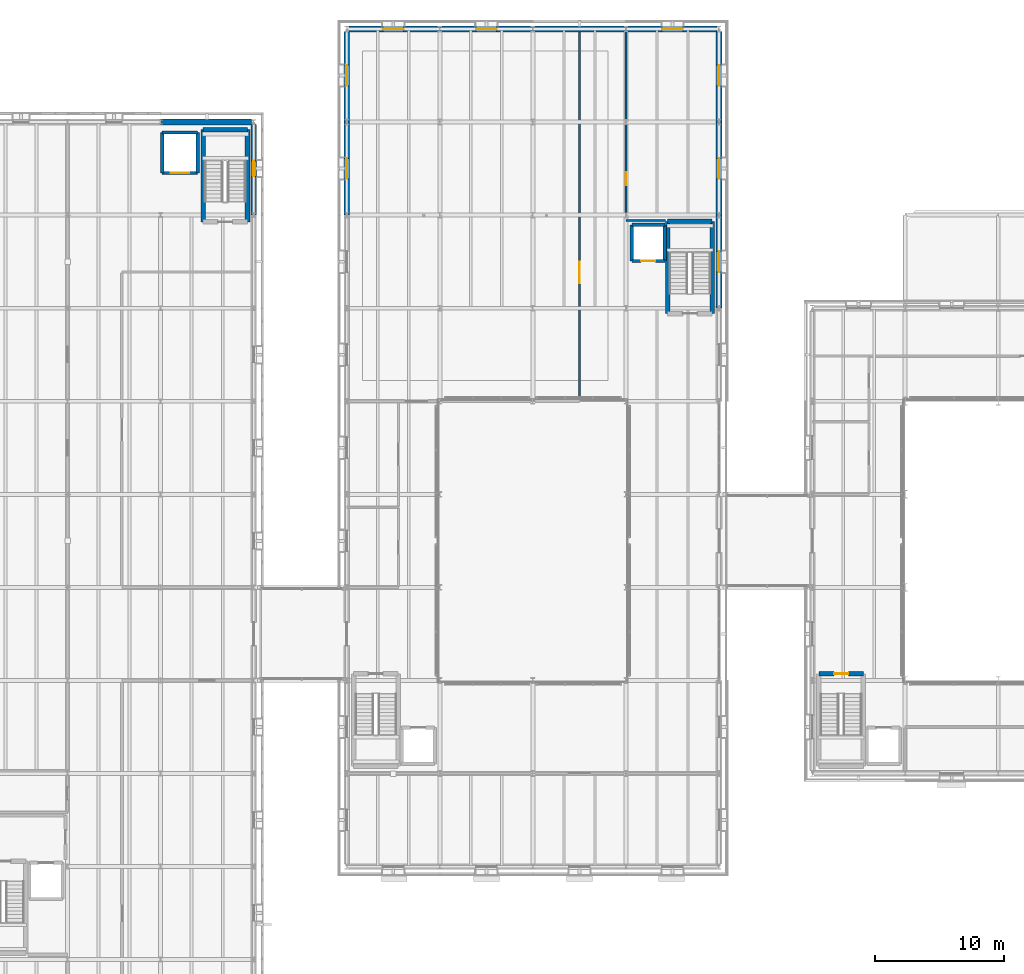
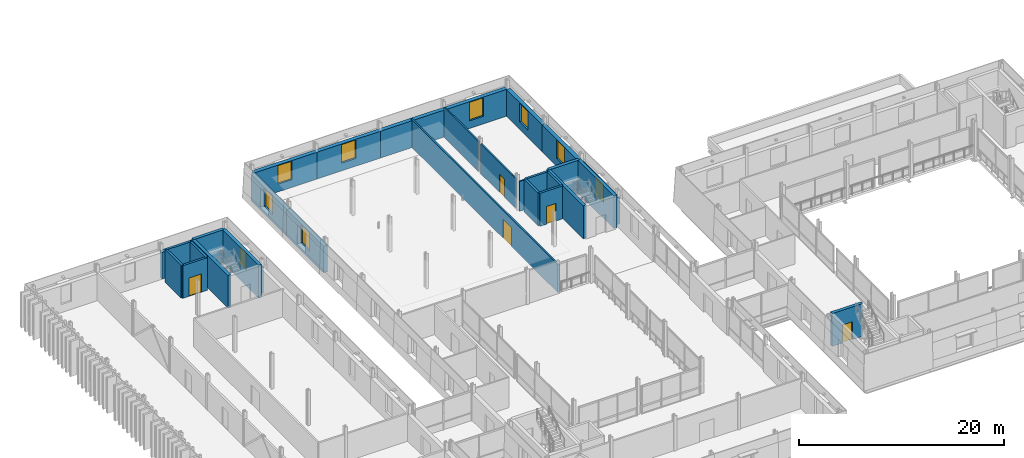
# One storey, part 72 of 115: 30 walls, 9 windows, 5 doors, 14 openings.
"""IFC4 building model written with IfcOpenShell, lengths in metres."""

import ifcopenshell
import ifcopenshell.guid

model = None  # the IFC model being written
_history = None  # IfcOwnerHistory: only IFC2X3 demands one
_inside = {}  # id of a spatial element -> (the spatial element, [elements in it])
_under = {}  # id of a project, library or spatial element -> (it, [spatial elements below it])
_declared = {}  # id of a project -> (the project, [libraries it declares])
_typed = {}  # id of a type object -> (the type object, [elements of that type])
_made_of = {}  # id of a material, layer set ... -> (it, [elements and type objects made of it])


def new_model(schema):
    """Start an empty IFC model of exactly this schema.

    Asked for "IFC4X3", IfcOpenShell would pick the latest addendum, in which some entities
    have other attributes; the version numbers below select the first issue.
    IFC2X3 requires an IfcOwnerHistory on every rooted entity: one is made here for all.
    """
    global model, _history
    if schema == "IFC4X3":
        model = ifcopenshell.file(schema_version=(4, 3, 0, 0))
    else:
        model = ifcopenshell.file(schema=schema)
    _inside.clear()
    _under.clear()
    _declared.clear()
    _typed.clear()
    _made_of.clear()
    _history = None
    if model.schema == "IFC2X3":
        org = make("IfcOrganization", Name="unknown")
        user = make(
            "IfcPersonAndOrganization",
            ThePerson=make("IfcPerson", FamilyName="unknown"),
            TheOrganization=org,
        )
        app = make(
            "IfcApplication",
            ApplicationDeveloper=org,
            Version="unknown",
            ApplicationFullName="unknown",
            ApplicationIdentifier="unknown",
        )
        _history = make(
            "IfcOwnerHistory",
            OwningUser=user,
            OwningApplication=app,
            ChangeAction="ADDED",
            CreationDate=0,
        )
    return model


def make(cls, **values):
    """One entity of the class cls with the attributes given. An attribute that is None is left unset."""
    return model.create_entity(
        cls, **{name: value for name, value in values.items() if value is not None}
    )


def rooted(cls, **values):
    """An entity with a GlobalId (a new one), such as an element, a storey or a relation."""
    return make(cls, GlobalId=ifcopenshell.guid.new(), OwnerHistory=_history, **values)


def si_unit(unit_type, name, prefix=None):
    """IfcSIUnit, for example si_unit("LENGTHUNIT", "METRE", prefix="MILLI")."""
    return make("IfcSIUnit", UnitType=unit_type, Prefix=prefix, Name=name)


def assignment(units):
    """IfcUnitAssignment: the units of a project."""
    return None if units is None else make("IfcUnitAssignment", Units=units)


def point(xyz):
    """IfcCartesianPoint."""
    return None if xyz is None else make("IfcCartesianPoint", Coordinates=xyz)


def direction(xyz):
    """IfcDirection."""
    return None if xyz is None else make("IfcDirection", DirectionRatios=xyz)


def frame(location, z_axis=None, x_axis=None):
    """IfcAxis2Placement3D, a coordinate frame: its origin and axes. An axis left out is left unset."""
    return make(
        "IfcAxis2Placement3D",
        Location=point(location),
        Axis=direction(z_axis),
        RefDirection=direction(x_axis),
    )


def frame_2d(location, x_axis=None):
    """IfcAxis2Placement2D, a coordinate frame in the plane: its origin and x axis."""
    return make(
        "IfcAxis2Placement2D", Location=point(location), RefDirection=direction(x_axis)
    )


def origin():
    """The frame at (0, 0, 0) with its axes left unset."""
    return frame((0.0, 0.0, 0.0))


def place(relative_to, where):
    """IfcLocalPlacement: puts the frame where relative to a parent placement (None: the world)."""
    return make(
        "IfcLocalPlacement", PlacementRelTo=relative_to, RelativePlacement=where
    )


def context(
    kind, dimensions, precision=None, world=None, true_north=None, identifier=None
):
    """IfcGeometricRepresentationContext, for example the 3D "Model" context."""
    return make(
        "IfcGeometricRepresentationContext",
        ContextIdentifier=identifier,
        ContextType=kind,
        CoordinateSpaceDimension=dimensions,
        Precision=precision,
        WorldCoordinateSystem=world,
        TrueNorth=true_north,
    )


def subcontext(parent, identifier, kind, view, scale=None):
    """IfcGeometricRepresentationSubContext, for example "Body" below "Model"."""
    return make(
        "IfcGeometricRepresentationSubContext",
        ContextIdentifier=identifier,
        ContextType=kind,
        ParentContext=parent,
        TargetScale=scale,
        TargetView=view,
    )


def project(units=None, contexts=None):
    """IfcProject with its units and contexts."""
    return rooted(
        "IfcProject",
        Name="project",
        RepresentationContexts=contexts,
        UnitsInContext=assignment(units),
    )


def spatial(cls, under=None, at=None, **own):
    """A site, building, storey or space (cls), placed at a placement, below another one or the project."""
    s = rooted(cls, ObjectPlacement=at, **own)
    if under is not None:
        _under.setdefault(under.id(), (under, []))[1].append(s)
    return s


def profile(cls, at=None, kind="AREA", **sizes):
    """A parametric profile (cls). Its sizes go by their IFC names, for example OverallWidth=200.0."""
    return make(cls, ProfileType=kind, Position=at, **sizes)


def rectangle(**sizes):
    """IfcRectangleProfileDef."""
    return profile("IfcRectangleProfileDef", **sizes)


def extrude(swept, where, along, depth):
    """IfcExtrudedAreaSolid: the profile swept, set in the frame where, extruded along a direction by depth."""
    return make(
        "IfcExtrudedAreaSolid",
        SweptArea=swept,
        Position=where,
        ExtrudedDirection=direction(along),
        Depth=depth,
    )


def shape(context_of_items, identifier, shape_type, items):
    """IfcShapeRepresentation: the items that make up one representation, for example the "Body"."""
    return make(
        "IfcShapeRepresentation",
        ContextOfItems=context_of_items,
        RepresentationIdentifier=identifier,
        RepresentationType=shape_type,
        Items=items,
    )


def material(Name=None, Category=None):
    """IfcMaterial."""
    return make("IfcMaterial", Name=Name, Category=Category)


def layer(
    of_material, thickness, ventilated=None, Name=None, Category=None, Priority=None
):
    """IfcMaterialLayer: one layer of a wall or slab, of a material (None: an air gap)."""
    return make(
        "IfcMaterialLayer",
        Material=of_material,
        LayerThickness=thickness,
        IsVentilated=ventilated,
        Name=Name,
        Category=Category,
        Priority=Priority,
    )


def layer_set(layers, Name=None):
    """IfcMaterialLayerSet."""
    return make("IfcMaterialLayerSet", MaterialLayers=layers, LayerSetName=Name)


def made_of(thing, what):
    """Note that an element or type object is made of a material, layer set ...; save() writes the relation."""
    if what is not None:
        _made_of.setdefault(what.id(), (what, []))[1].append(thing)
    return thing


def type_object(cls, material=None, **own):
    """A type object (cls), such as IfcWallType, which elements share."""
    return made_of(rooted(cls, **own), material)


def element(
    cls,
    number,
    at=None,
    inside=None,
    cuts=None,
    type_object=None,
    material=None,
    context=None,
    identifier="Body",
    shape_type=None,
    held_by="IfcProductDefinitionShape",
    body=None,
    shapes=None,
    **own,
):
    """One element of the class cls, such as IfcWall. Its Tag is "e" and its number.

    at: its placement. inside: the storey or other place that contains it. cuts: it is an
    opening in that element (IfcRelVoidsElement). A single representation is given by context,
    identifier, shape_type and body (its items); several are given by shapes. held_by: the class
    of the entity that holds the representations. save() writes the other relations.
    """
    e = rooted(cls, Tag="e%d" % number, ObjectPlacement=at, **own)
    if body is not None:
        shapes = [shape(context, identifier, shape_type, body)]
    if shapes is not None:
        e.Representation = make(held_by, Representations=shapes)
    if inside is not None:
        _inside.setdefault(inside.id(), (inside, []))[1].append(e)
    if cuts is not None:
        rooted(
            "IfcRelVoidsElement", RelatingBuildingElement=cuts, RelatedOpeningElement=e
        )
    if type_object is not None:
        _typed.setdefault(type_object.id(), (type_object, []))[1].append(e)
    return made_of(e, material)


def fill(opening, filler):
    """IfcRelFillsElement: the door or window that sits in an opening."""
    return rooted(
        "IfcRelFillsElement",
        RelatingOpeningElement=opening,
        RelatedBuildingElement=filler,
    )


def aggregate(whole, parts):
    """IfcRelAggregates: a whole, such as a stair, and the parts it consists of."""
    return rooted("IfcRelAggregates", RelatingObject=whole, RelatedObjects=parts)


def save(model, path):
    """Write the relations noted so far, then the file.

    IfcRelAggregates (storeys below a building ...), IfcRelContainedInSpatialStructure (elements
    in a storey), IfcRelDefinesByType, IfcRelAssociatesMaterial and IfcRelDeclares: one each for
    every whole, place, type object, material and project.
    """
    for whole, parts in _under.values():
        aggregate(whole, parts)
    for where, things in _inside.values():
        rooted(
            "IfcRelContainedInSpatialStructure",
            RelatedElements=things,
            RelatingStructure=where,
        )
    for kind, things in _typed.values():
        rooted("IfcRelDefinesByType", RelatedObjects=things, RelatingType=kind)
    for what, things in _made_of.values():
        rooted("IfcRelAssociatesMaterial", RelatedObjects=things, RelatingMaterial=what)
    for by, libraries in _declared.values():
        rooted("IfcRelDeclares", RelatingContext=by, RelatedDefinitions=libraries)
    model.write(path)


model = new_model("IFC4")

# Units and contexts
model_context = context("Model", 3, precision=1e-05, world=origin(), true_north=direction((0.0, 1.0)))
body_context = subcontext(model_context, "Body", "Model", "MODEL_VIEW")
ifc_project = project(units=[si_unit("LENGTHUNIT", "METRE"), si_unit("AREAUNIT", "SQUARE_METRE"), si_unit("VOLUMEUNIT", "CUBIC_METRE"), si_unit("PLANEANGLEUNIT", "RADIAN"), si_unit("MASSUNIT", "GRAM", prefix="KILO")], contexts=[model_context])

# Site, building, storey
site_placement = place(None, origin())
site = spatial("IfcSite", under=ifc_project, at=site_placement, CompositionType="ELEMENT")
building_placement = place(site_placement, origin())
building = spatial("IfcBuilding", under=site, at=building_placement, Name="Narikvali Park Central Library", CompositionType="ELEMENT")
storey_placement = place(building_placement, frame((0.0, 0.0, 10.199951171875)))
storey = spatial("IfcBuildingStorey", under=building, at=storey_placement, Name="L02", CompositionType="ELEMENT", Elevation=10.199951171875)

# Wall, opening, door
ifc_material_1 = material(Name="Acoustic Gypsum on Steel Studs", Category="steel")
ifc_layer_1 = layer(ifc_material_1, 0.179931640625, Name="Acoustic Gypsum on Steel Studs")
ifc_layer_set_1 = layer_set([ifc_layer_1], Name="Acoustic Gypsum on Steel Studs")
wall_type_1 = type_object("IfcWallType", Name="Reading Room Acoustic Partition 180", PredefinedType="PARTITIONING", material=ifc_layer_set_1)
wall_1_placement = place(storey_placement, frame((46.800048828125, 86.491943359375, 0.0), z_axis=(0.0, 0.0, 1.0), x_axis=(0.0, 1.0, 0.0)))
wall_1 = element("IfcWall", 1, at=wall_1_placement, inside=storey, type_object=wall_type_1, Name="Sciences and Arts Reading Room L02 Partition E", PredefinedType="PARTITIONING", context=body_context, shape_type="SweptSolid", body=[
    extrude(rectangle(XDim=28.653076171875, YDim=0.179931640625, at=frame_2d((14.32666015625, 0.0))), origin(), (0.0, 0.0, 1.0), 3.35498046875),
])
opening_1_placement = place(wall_1_placement, frame((9.049072265625, 0.0, 0.0)))
opening_1 = element("IfcOpeningElement", 2, at=opening_1_placement, cuts=wall_1, Name="Opening ID-0095", PredefinedType="OPENING", context=body_context, shape_type="SweptSolid", body=[
    extrude(rectangle(XDim=1.64990234375, YDim=2.25, at=frame_2d((0.824951171875, 1.125))), frame((0.0, 0.10205078125, 0.0), z_axis=(0.0, -1.0, 0.0), x_axis=(1.0, 0.0, 0.0)), (0.0, 0.0, 1.0), 0.203857421875),
])
ifc_material_2 = material(Name="Caucasian Oak and Tempered Glass", Category="glass")
door_type_1 = type_object("IfcDoorType", Name="Open Stacks Double Glazed Door 1650x2250", OperationType="DOUBLE_DOOR_SINGLE_SWING", PredefinedType="DOOR", material=ifc_material_2)
door_1_placement = place(opening_1_placement, origin())
door_1 = element("IfcDoor", 3, at=door_1_placement, inside=storey, type_object=door_type_1, Name="Sciences and Arts Reading Room L02 Door ID-0095", OperationType="DOUBLE_DOOR_SINGLE_SWING", OverallHeight=2.25, OverallWidth=1.64990234375, PredefinedType="DOOR", context=body_context, shape_type="SweptSolid", body=[
    extrude(rectangle(XDim=1.64990234375, YDim=2.25, at=frame_2d((0.824951171875, 1.125))), frame((0.0, 0.02490234375, 0.0), z_axis=(0.0, -1.0, 0.0), x_axis=(1.0, 0.0, 0.0)), (0.0, 0.0, 1.0), 0.050048828125),
])
fill(opening_1, door_1)

ifc_material_3 = material(Name="Concrete C40/50", Category="concrete")
ifc_layer_2 = layer(ifc_material_3, 0.35009765625, Name="Concrete C40/50")
ifc_layer_set_2 = layer_set([ifc_layer_2], Name="Concrete C40/50")
wall_type_2 = type_object("IfcWallType", Name="Reinforced Concrete Core Shear Wall 350", PredefinedType="SHEAR", material=ifc_layer_set_2)
wall_2_placement = place(storey_placement, frame((68.77001953125, 65.320068359375, 0.0), z_axis=(0.0, 0.0, 1.0), x_axis=(-1.0, 0.0, 0.0)))
wall_2 = element("IfcWall", 4, at=wall_2_placement, inside=storey, type_object=wall_type_2, Name="C1A L02 Stair Core Shear Wall N", PredefinedType="SHEAR", context=body_context, shape_type="SweptSolid", body=[
    extrude(rectangle(XDim=3.43994140625, YDim=0.35009765625, at=frame_2d((1.719970703125, 0.0))), origin(), (0.0, 0.0, 1.0), 3.920166015625),
])
opening_2_placement = place(wall_2_placement, frame((1.169921875, 0.0, 0.0)))
opening_2 = element("IfcOpeningElement", 5, at=opening_2_placement, cuts=wall_2, Name="Opening SD-004", PredefinedType="OPENING", context=body_context, shape_type="SweptSolid", body=[
    extrude(rectangle(XDim=1.10009765625, YDim=2.14990234375, at=frame_2d((0.550048828125, 1.074951171875))), frame((0.0, 0.18701171875, 0.0), z_axis=(0.0, -1.0, 0.0), x_axis=(1.0, 0.0, 0.0)), (0.0, 0.0, 1.0), 0.3740234375),
])
ifc_material_4 = material(Name="Powder-Coated Steel S275 Fire Leaf", Category="steel")
door_type_2 = type_object("IfcDoorType", Name="Stair Core Smoke-Control Fire Door 1100x2150", OperationType="SINGLE_SWING_LEFT", PredefinedType="DOOR", material=ifc_material_4)
door_2_placement = place(opening_2_placement, frame((1.10009765625, 0.0, 0.0), z_axis=(0.0, 0.0, 1.0), x_axis=(-1.0, 0.0, 0.0)))
door_2 = element("IfcDoor", 6, at=door_2_placement, inside=storey, type_object=door_type_2, Name="ST-01 L02 Stair Exit Door SD-004", OperationType="SINGLE_SWING_RIGHT", OverallHeight=2.14990234375, OverallWidth=1.10009765625, PredefinedType="DOOR", context=body_context, shape_type="SweptSolid", body=[
    extrude(rectangle(XDim=1.10009765625, YDim=2.14990234375, at=frame_2d((0.550048828125, 1.074951171875))), frame((0.0, 0.02490234375, 0.0), z_axis=(0.0, -1.0, 0.0), x_axis=(1.0, 0.0, 0.0)), (0.0, 0.0, 1.0), 0.050048828125),
])
fill(opening_2, door_2)

# Walls
wall_3_placement = place(storey_placement, frame((57.070068359375, 93.179931640625, 0.0), z_axis=(0.0, 0.0, 1.0), x_axis=(0.0, 1.0, 0.0)))
element("IfcWall", 7, at=wall_3_placement, inside=storey, type_object=wall_type_2, Name="C4B L02 Stair Core Shear Wall E", PredefinedType="SHEAR", context=body_context, shape_type="SweptSolid", body=[
    extrude(rectangle(XDim=7.14013671875, YDim=0.35009765625, at=frame_2d((3.570068359375, 0.0))), origin(), (0.0, 0.0, 1.0), 3.920166015625),
])
wall_4_placement = place(storey_placement, frame((57.070068359375, 100.320068359375, 0.0), z_axis=(0.0, 0.0, 1.0), x_axis=(-1.0, 0.0, 0.0)))
element("IfcWall", 8, at=wall_4_placement, inside=storey, type_object=wall_type_2, Name="C4B L02 Stair Core Shear Wall N", PredefinedType="SHEAR", context=body_context, shape_type="SweptSolid", body=[
    extrude(rectangle(XDim=3.440185546875, YDim=0.35009765625, at=frame_2d((1.72021484375, 0.0))), origin(), (0.0, 0.0, 1.0), 3.920166015625),
])
wall_5_placement = place(storey_placement, frame((53.6298828125, 100.320068359375, 0.0), z_axis=(0.0, 0.0, 1.0), x_axis=(0.0, -1.0, 0.0)))
element("IfcWall", 9, at=wall_5_placement, inside=storey, type_object=wall_type_2, Name="C4B L02 Stair Core Shear Wall W", PredefinedType="SHEAR", context=body_context, shape_type="SweptSolid", body=[
    extrude(rectangle(XDim=7.14013671875, YDim=0.35009765625, at=frame_2d((3.570068359375, 0.0))), origin(), (0.0, 0.0, 1.0), 3.920166015625),
])
wall_6_placement = place(storey_placement, frame((21.1201171875, 100.280029296875, 0.0), z_axis=(0.0, 0.0, 1.0), x_axis=(0.0, 1.0, 0.0)))
element("IfcWall", 10, at=wall_6_placement, inside=storey, type_object=wall_type_2, Name="C5B L02 Stair Core Shear Wall E", PredefinedType="SHEAR", context=body_context, shape_type="SweptSolid", body=[
    extrude(rectangle(XDim=7.139892578125, YDim=0.35009765625, at=frame_2d((3.56982421875, 0.0))), origin(), (0.0, 0.0, 1.0), 3.900146484375),
])
wall_7_placement = place(storey_placement, frame((21.1201171875, 107.419921875, 0.0), z_axis=(0.0, 0.0, 1.0), x_axis=(-1.0, 0.0, 0.0)))
element("IfcWall", 11, at=wall_7_placement, inside=storey, type_object=wall_type_2, Name="C5B L02 Stair Core Shear Wall N", PredefinedType="SHEAR", context=body_context, shape_type="SweptSolid", body=[
    extrude(rectangle(XDim=3.440185546875, YDim=0.35009765625, at=frame_2d((1.72021484375, 0.0))), origin(), (0.0, 0.0, 1.0), 3.900146484375),
])
wall_8_placement = place(storey_placement, frame((17.679931640625, 107.419921875, 0.0), z_axis=(0.0, 0.0, 1.0), x_axis=(0.0, -1.0, 0.0)))
element("IfcWall", 12, at=wall_8_placement, inside=storey, type_object=wall_type_2, Name="C5B L02 Stair Core Shear Wall W", PredefinedType="SHEAR", context=body_context, shape_type="SweptSolid", body=[
    extrude(rectangle(XDim=7.139892578125, YDim=0.35009765625, at=frame_2d((3.56982421875, 0.0))), origin(), (0.0, 0.0, 1.0), 3.900146484375),
])

# Wall, opening, door
ifc_layer_3 = layer(ifc_material_3, 0.25, Name="Concrete C40/50")
ifc_layer_set_3 = layer_set([ifc_layer_3], Name="Concrete C40/50")
wall_type_3 = type_object("IfcWallType", Name="Reinforced Concrete Lift Shaft Wall 250", PredefinedType="SHEAR", material=ifc_layer_set_3)
wall_9_placement = place(storey_placement, frame((50.85009765625, 97.25, 0.0), z_axis=(0.0, 0.0, 1.0), x_axis=(1.0, 0.0, 0.0)))
wall_9 = element("IfcWall", 13, at=wall_9_placement, inside=storey, type_object=wall_type_3, Name="L-06 L02 Lift Shaft Wall S", PredefinedType="SHEAR", context=body_context, shape_type="SweptSolid", body=[
    extrude(rectangle(XDim=2.5498046875, YDim=0.25, at=frame_2d((1.27490234375, 0.0))), origin(), (0.0, 0.0, 1.0), 3.920166015625),
])
opening_3_placement = place(wall_9_placement, frame((0.72509765625, 0.0, 0.0)))
opening_3 = element("IfcOpeningElement", 14, at=opening_3_placement, cuts=wall_9, Name="Opening LD-031", PredefinedType="OPENING", context=body_context, shape_type="SweptSolid", body=[
    extrude(rectangle(XDim=1.10009765625, YDim=2.10009765625, at=frame_2d((0.550048828125, 1.050048828125))), frame((0.0, 0.136962890625, 0.0), z_axis=(0.0, -1.0, 0.0), x_axis=(1.0, 0.0, 0.0)), (0.0, 0.0, 1.0), 0.27392578125),
])
ifc_material_5 = material(Name="Brushed Stainless Steel S355", Category="steel")
door_type_3 = type_object("IfcDoorType", Name="Passenger Lift Sliding Landing Door 1100x2100", OperationType="SLIDING_TO_LEFT", PredefinedType="DOOR", material=ifc_material_5)
door_3_placement = place(opening_3_placement, origin())
door_3 = element("IfcDoor", 15, at=door_3_placement, inside=storey, type_object=door_type_3, Name="L-06 L02 Lift Landing Sliding Door LD-031", OperationType="SLIDING_TO_LEFT", OverallHeight=2.10009765625, OverallWidth=1.10009765625, PredefinedType="DOOR", context=body_context, shape_type="SweptSolid", body=[
    extrude(rectangle(XDim=1.10009765625, YDim=2.10009765625, at=frame_2d((0.550048828125, 1.050048828125))), frame((0.0, 0.02490234375, 0.0), z_axis=(0.0, -1.0, 0.0), x_axis=(1.0, 0.0, 0.0)), (0.0, 0.0, 1.0), 0.050048828125),
])
fill(opening_3, door_3)

# Walls
wall_10_placement = place(storey_placement, frame((53.39990234375, 97.25, 0.0), z_axis=(0.0, 0.0, 1.0), x_axis=(0.0, 1.0, 0.0)))
element("IfcWall", 16, at=wall_10_placement, inside=storey, type_object=wall_type_3, Name="L-06 L02 Lift Shaft Wall E", PredefinedType="SHEAR", context=body_context, shape_type="SweptSolid", body=[
    extrude(rectangle(XDim=2.800048828125, YDim=0.25, at=frame_2d((1.39990234375, 0.0))), origin(), (0.0, 0.0, 1.0), 3.920166015625),
])
wall_11_placement = place(storey_placement, frame((53.39990234375, 100.050048828125, 0.0), z_axis=(0.0, 0.0, 1.0), x_axis=(-1.0, 0.0, 0.0)))
element("IfcWall", 17, at=wall_11_placement, inside=storey, type_object=wall_type_3, Name="L-06 L02 Lift Shaft Wall N", PredefinedType="SHEAR", context=body_context, shape_type="SweptSolid", body=[
    extrude(rectangle(XDim=2.5498046875, YDim=0.25, at=frame_2d((1.27490234375, 0.0))), origin(), (0.0, 0.0, 1.0), 3.920166015625),
])
wall_12_placement = place(storey_placement, frame((50.85009765625, 100.050048828125, 0.0), z_axis=(0.0, 0.0, 1.0), x_axis=(0.0, -1.0, 0.0)))
element("IfcWall", 18, at=wall_12_placement, inside=storey, type_object=wall_type_3, Name="L-06 L02 Lift Shaft Wall W", PredefinedType="SHEAR", context=body_context, shape_type="SweptSolid", body=[
    extrude(rectangle(XDim=2.800048828125, YDim=0.25, at=frame_2d((1.39990234375, 0.0))), origin(), (0.0, 0.0, 1.0), 3.920166015625),
])

# Wall, opening, door
wall_13_placement = place(storey_placement, frame((14.52001953125, 104.050048828125, 0.0), z_axis=(0.0, 0.0, 1.0), x_axis=(1.0, 0.0, 0.0)))
wall_13 = element("IfcWall", 19, at=wall_13_placement, inside=storey, type_object=wall_type_3, Name="GL-02 L02 Lift Shaft Wall S", PredefinedType="SHEAR", context=body_context, shape_type="SweptSolid", body=[
    extrude(rectangle(XDim=2.75, YDim=0.25, at=frame_2d((1.375, 0.0))), origin(), (0.0, 0.0, 1.0), 3.900146484375),
])
opening_4_placement = place(wall_13_placement, frame((0.675048828125, 0.0, 0.0)))
opening_4 = element("IfcOpeningElement", 20, at=opening_4_placement, cuts=wall_13, Name="Opening LD-044", PredefinedType="OPENING", context=body_context, shape_type="SweptSolid", body=[
    extrude(rectangle(XDim=1.39990234375, YDim=2.199951171875, at=frame_2d((0.699951171875, 1.10009765625))), frame((0.0, 0.136962890625, 0.0), z_axis=(0.0, -1.0, 0.0), x_axis=(1.0, 0.0, 0.0)), (0.0, 0.0, 1.0), 0.27392578125),
])
door_type_4 = type_object("IfcDoorType", Name="Book Goods Lift Sliding Landing Door 1400x2200", OperationType="DOUBLE_DOOR_SLIDING", PredefinedType="DOOR", material=ifc_material_5)
door_4_placement = place(opening_4_placement, origin())
door_4 = element("IfcDoor", 21, at=door_4_placement, inside=storey, type_object=door_type_4, Name="GL-02 L02 Lift Landing Sliding Door LD-044", OperationType="DOUBLE_DOOR_SLIDING", OverallHeight=2.199951171875, OverallWidth=1.39990234375, PredefinedType="DOOR", context=body_context, shape_type="SweptSolid", body=[
    extrude(rectangle(XDim=1.39990234375, YDim=2.199951171875, at=frame_2d((0.699951171875, 1.10009765625))), frame((0.0, 0.02490234375, 0.0), z_axis=(0.0, -1.0, 0.0), x_axis=(1.0, 0.0, 0.0)), (0.0, 0.0, 1.0), 0.050048828125),
])
fill(opening_4, door_4)

# Walls
wall_14_placement = place(storey_placement, frame((17.27001953125, 104.050048828125, 0.0), z_axis=(0.0, 0.0, 1.0), x_axis=(0.0, 1.0, 0.0)))
element("IfcWall", 22, at=wall_14_placement, inside=storey, type_object=wall_type_3, Name="GL-02 L02 Lift Shaft Wall E", PredefinedType="SHEAR", context=body_context, shape_type="SweptSolid", body=[
    extrude(rectangle(XDim=3.14990234375, YDim=0.25, at=frame_2d((1.574951171875, 0.0))), origin(), (0.0, 0.0, 1.0), 3.900146484375),
])
wall_15_placement = place(storey_placement, frame((17.27001953125, 107.199951171875, 0.0), z_axis=(0.0, 0.0, 1.0), x_axis=(-1.0, 0.0, 0.0)))
element("IfcWall", 23, at=wall_15_placement, inside=storey, type_object=wall_type_3, Name="GL-02 L02 Lift Shaft Wall N", PredefinedType="SHEAR", context=body_context, shape_type="SweptSolid", body=[
    extrude(rectangle(XDim=2.75, YDim=0.25, at=frame_2d((1.375, 0.0))), origin(), (0.0, 0.0, 1.0), 3.900146484375),
])
wall_16_placement = place(storey_placement, frame((14.52001953125, 107.199951171875, 0.0), z_axis=(0.0, 0.0, 1.0), x_axis=(0.0, -1.0, 0.0)))
element("IfcWall", 24, at=wall_16_placement, inside=storey, type_object=wall_type_3, Name="GL-02 L02 Lift Shaft Wall W", PredefinedType="SHEAR", context=body_context, shape_type="SweptSolid", body=[
    extrude(rectangle(XDim=3.14990234375, YDim=0.25, at=frame_2d((1.574951171875, 0.0))), origin(), (0.0, 0.0, 1.0), 3.900146484375),
])
ifc_material_6 = material(Name="Gypsum Board on Galvanised Steel Studs", Category="steel")
ifc_layer_4 = layer(ifc_material_6, 0.159912109375, Name="Gypsum Board on Galvanised Steel Studs")
ifc_layer_set_4 = layer_set([ifc_layer_4], Name="Gypsum Board on Galvanised Steel Studs")
wall_type_4 = type_object("IfcWallType", Name="Study Room Partition Wall 160", PredefinedType="PARTITIONING", material=ifc_layer_set_4)
wall_17_placement = place(storey_placement, frame((50.39990234375, 100.39990234375, 0.0), z_axis=(0.0, 0.0, 1.0), x_axis=(1.0, 0.0, 0.0)))
element("IfcWall", 25, at=wall_17_placement, inside=storey, type_object=wall_type_4, Name="North Boulevard Scholar Carrels L02 Partition S", PredefinedType="PARTITIONING", context=body_context, shape_type="SweptSolid", body=[
    extrude(rectangle(XDim=3.052978515625, YDim=0.159912109375, at=frame_2d((1.5263671875, 0.0))), origin(), (0.0, 0.0, 1.0), 3.554931640625),
])

# Wall, opening, door
wall_18_placement = place(storey_placement, frame((50.39990234375, 101.00390625, 0.0), z_axis=(0.0, 0.0, 1.0), x_axis=(0.0, 1.0, 0.0)))
wall_18 = element("IfcWall", 26, at=wall_18_placement, inside=storey, type_object=wall_type_4, Name="North Boulevard Scholar Carrels L02 Partition W", PredefinedType="PARTITIONING", context=body_context, shape_type="SweptSolid", body=[
    extrude(rectangle(XDim=6.7919921875, YDim=0.159912109375, at=frame_2d((3.39599609375, 0.0))), origin(), (0.0, 0.0, 1.0), 3.554931640625),
])
opening_5_placement = place(wall_18_placement, frame((2.117919921875, 0.0, 0.0)))
opening_5 = element("IfcOpeningElement", 27, at=opening_5_placement, cuts=wall_18, Name="Opening ID-0094", PredefinedType="OPENING", context=body_context, shape_type="SweptSolid", body=[
    extrude(rectangle(XDim=1.0, YDim=2.14990234375, at=frame_2d((0.5, 1.074951171875))), frame((0.0, 0.091796875, 0.0), z_axis=(0.0, -1.0, 0.0), x_axis=(1.0, 0.0, 0.0)), (0.0, 0.0, 1.0), 0.183837890625),
])
ifc_material_7 = material(Name="Solid Caucasian Oak")
door_type_5 = type_object("IfcDoorType", Name="Study Room Single Oak Door 1000x2150", OperationType="SINGLE_SWING_LEFT", PredefinedType="DOOR", material=ifc_material_7)
door_5_placement = place(opening_5_placement, frame((1.0, 0.0, 0.0), z_axis=(0.0, 0.0, 1.0), x_axis=(-1.0, 0.0, 0.0)))
door_5 = element("IfcDoor", 28, at=door_5_placement, inside=storey, type_object=door_type_5, Name="North Boulevard Scholar Carrels L02 Door ID-0094", OperationType="SINGLE_SWING_RIGHT", OverallHeight=2.14990234375, OverallWidth=1.0, PredefinedType="DOOR", context=body_context, shape_type="SweptSolid", body=[
    extrude(rectangle(XDim=1.0, YDim=2.14990234375, at=frame_2d((0.5, 1.074951171875))), frame((0.0, 0.02490234375, 0.0), z_axis=(0.0, -1.0, 0.0), x_axis=(1.0, 0.0, 0.0)), (0.0, 0.0, 1.0), 0.050048828125),
])
fill(opening_5, door_5)

# Wall
wall_19_placement = place(storey_placement, frame((50.39990234375, 108.2041015625, 0.0), z_axis=(0.0, 0.0, 1.0), x_axis=(0.0, 1.0, 0.0)))
element("IfcWall", 29, at=wall_19_placement, inside=storey, type_object=wall_type_4, Name="North Boulevard Scholar Carrels L02 Partition W", PredefinedType="PARTITIONING", context=body_context, shape_type="SweptSolid", body=[
    extrude(rectangle(XDim=6.7919921875, YDim=0.159912109375, at=frame_2d((3.39599609375, 0.0))), origin(), (0.0, 0.0, 1.0), 3.554931640625),
])

# Wall, opening, window
ifc_material_8 = material(Name="White Honed Limestone over Concrete C35/45", Category="masonry")
ifc_layer_5 = layer(ifc_material_8, 0.43994140625, Name="White Honed Limestone over Concrete C35/45")
ifc_layer_set_5 = layer_set([ifc_layer_5], Name="White Honed Limestone over Concrete C35/45")
wall_type_5 = type_object("IfcWallType", Name="White Limestone Battered Tier2 Wall 440", PredefinedType="SOLIDWALL", material=ifc_layer_set_5)
wall_20_placement = place(storey_placement, frame((57.60009765625, 93.60009765625, 0.0), z_axis=(0.0, 0.0, 1.0), x_axis=(0.0, 1.0, 0.0)))
wall_20 = element("IfcWall", 30, at=wall_20_placement, inside=storey, type_object=wall_type_5, Name="V4 L02 E Exterior Limestone Wall B07", PredefinedType="SOLIDWALL", context=body_context, shape_type="SweptSolid", body=[
    extrude(rectangle(XDim=7.199951171875, YDim=0.43994140625, at=frame_2d((3.60009765625, 0.0))), origin(), (0.0, 0.0, 1.0), 3.199951171875),
])
opening_6_placement = place(wall_20_placement, frame((2.800048828125, 0.0, 0.919921875)))
opening_6 = element("IfcOpeningElement", 31, at=opening_6_placement, cuts=wall_20, Name="Opening WIN-0171", PredefinedType="OPENING", context=body_context, shape_type="SweptSolid", body=[
    extrude(rectangle(XDim=1.60009765625, YDim=2.199951171875, at=frame_2d((0.800048828125, 1.10009765625))), frame((0.0, 0.23193359375, 0.0), z_axis=(0.0, -1.0, 0.0), x_axis=(1.0, 0.0, 0.0)), (0.0, 0.0, 1.0), 0.4638671875),
])
ifc_material_9 = material(Name="Anodised Bronze Aluminium and Low-E Triple Glazing", Category="aluminium")
window_type_1 = type_object("IfcWindowType", Name="Atrium Reading Wing Classical Window 1600x2200", PartitioningType="DOUBLE_PANEL_VERTICAL", PredefinedType="WINDOW", material=ifc_material_9)
window_1_placement = place(opening_6_placement, origin())
window_1 = element("IfcWindow", 32, at=window_1_placement, inside=storey, type_object=window_type_1, Name="V4 L02 E Deep-Reveal Window WIN-0171", OverallHeight=2.199951171875, OverallWidth=1.60009765625, PartitioningType="SINGLE_PANEL", PredefinedType="WINDOW", context=body_context, shape_type="SweptSolid", body=[
    extrude(rectangle(XDim=1.60009765625, YDim=2.199951171875, at=frame_2d((0.800048828125, 1.10009765625))), frame((0.0, 0.030029296875, 0.0), z_axis=(0.0, -1.0, 0.0), x_axis=(1.0, 0.0, 0.0)), (0.0, 0.0, 1.0), 0.06005859375),
])
fill(opening_6, window_1)

wall_21_placement = place(storey_placement, frame((57.60009765625, 100.800048828125, 0.0), z_axis=(0.0, 0.0, 1.0), x_axis=(0.0, 1.0, 0.0)))
wall_21 = element("IfcWall", 33, at=wall_21_placement, inside=storey, type_object=wall_type_5, Name="V4 L02 E Exterior Limestone Wall B08", PredefinedType="SOLIDWALL", context=body_context, shape_type="SweptSolid", body=[
    extrude(rectangle(XDim=7.199951171875, YDim=0.43994140625, at=frame_2d((3.60009765625, 0.0))), origin(), (0.0, 0.0, 1.0), 3.199951171875),
])
opening_7_placement = place(wall_21_placement, frame((2.800048828125, 0.0, 0.919921875)))
opening_7 = element("IfcOpeningElement", 34, at=opening_7_placement, cuts=wall_21, Name="Opening WIN-0172", PredefinedType="OPENING", context=body_context, shape_type="SweptSolid", body=[
    extrude(rectangle(XDim=1.60009765625, YDim=2.199951171875, at=frame_2d((0.800048828125, 1.10009765625))), frame((0.0, 0.23193359375, 0.0), z_axis=(0.0, -1.0, 0.0), x_axis=(1.0, 0.0, 0.0)), (0.0, 0.0, 1.0), 0.4638671875),
])
window_2_placement = place(opening_7_placement, origin())
window_2 = element("IfcWindow", 35, at=window_2_placement, inside=storey, type_object=window_type_1, Name="V4 L02 E Deep-Reveal Window WIN-0172", OverallHeight=2.199951171875, OverallWidth=1.60009765625, PartitioningType="SINGLE_PANEL", PredefinedType="WINDOW", context=body_context, shape_type="SweptSolid", body=[
    extrude(rectangle(XDim=1.60009765625, YDim=2.199951171875, at=frame_2d((0.800048828125, 1.10009765625))), frame((0.0, 0.030029296875, 0.0), z_axis=(0.0, -1.0, 0.0), x_axis=(1.0, 0.0, 0.0)), (0.0, 0.0, 1.0), 0.06005859375),
])
fill(opening_7, window_2)

wall_22_placement = place(storey_placement, frame((57.60009765625, 108.0, 0.0), z_axis=(0.0, 0.0, 1.0), x_axis=(0.0, 1.0, 0.0)))
wall_22 = element("IfcWall", 36, at=wall_22_placement, inside=storey, type_object=wall_type_5, Name="V4 L02 E Exterior Limestone Wall B09", PredefinedType="SOLIDWALL", context=body_context, shape_type="SweptSolid", body=[
    extrude(rectangle(XDim=6.99609375, YDim=0.43994140625, at=frame_2d((3.498046875, 0.0))), origin(), (0.0, 0.0, 1.0), 3.199951171875),
])
opening_8_placement = place(wall_22_placement, frame((2.800048828125, 0.0, 0.919921875)))
opening_8 = element("IfcOpeningElement", 37, at=opening_8_placement, cuts=wall_22, Name="Opening WIN-0173", PredefinedType="OPENING", context=body_context, shape_type="SweptSolid", body=[
    extrude(rectangle(XDim=1.60009765625, YDim=2.199951171875, at=frame_2d((0.800048828125, 1.10009765625))), frame((0.0, 0.23193359375, 0.0), z_axis=(0.0, -1.0, 0.0), x_axis=(1.0, 0.0, 0.0)), (0.0, 0.0, 1.0), 0.4638671875),
])
window_3_placement = place(opening_8_placement, origin())
window_3 = element("IfcWindow", 38, at=window_3_placement, inside=storey, type_object=window_type_1, Name="V4 L02 E Deep-Reveal Window WIN-0173", OverallHeight=2.199951171875, OverallWidth=1.60009765625, PartitioningType="SINGLE_PANEL", PredefinedType="WINDOW", context=body_context, shape_type="SweptSolid", body=[
    extrude(rectangle(XDim=1.60009765625, YDim=2.199951171875, at=frame_2d((0.800048828125, 1.10009765625))), frame((0.0, 0.030029296875, 0.0), z_axis=(0.0, -1.0, 0.0), x_axis=(1.0, 0.0, 0.0)), (0.0, 0.0, 1.0), 0.06005859375),
])
fill(opening_8, window_3)

wall_23_placement = place(storey_placement, frame((57.446044921875, 115.199951171875, 0.0), z_axis=(0.0, 0.0, 1.0), x_axis=(-1.0, 0.0, 0.0)))
wall_23 = element("IfcWall", 39, at=wall_23_placement, inside=storey, type_object=wall_type_5, Name="V4 L02 N Exterior Limestone Wall B01", PredefinedType="SOLIDWALL", context=body_context, shape_type="SweptSolid", body=[
    extrude(rectangle(XDim=7.046142578125, YDim=0.43994140625, at=frame_2d((3.52294921875, 0.0))), origin(), (0.0, 0.0, 1.0), 3.199951171875),
])
opening_9_placement = place(wall_23_placement, frame((2.64599609375, 0.0, 0.919921875)))
opening_9 = element("IfcOpeningElement", 40, at=opening_9_placement, cuts=wall_23, Name="Opening WIN-0174", PredefinedType="OPENING", context=body_context, shape_type="SweptSolid", body=[
    extrude(rectangle(XDim=1.60009765625, YDim=2.199951171875, at=frame_2d((0.800048828125, 1.10009765625))), frame((0.0, 0.23193359375, 0.0), z_axis=(0.0, -1.0, 0.0), x_axis=(1.0, 0.0, 0.0)), (0.0, 0.0, 1.0), 0.4638671875),
])
window_4_placement = place(opening_9_placement, origin())
window_4 = element("IfcWindow", 41, at=window_4_placement, inside=storey, type_object=window_type_1, Name="V4 L02 N Deep-Reveal Window WIN-0174", OverallHeight=2.199951171875, OverallWidth=1.60009765625, PartitioningType="SINGLE_PANEL", PredefinedType="WINDOW", context=body_context, shape_type="SweptSolid", body=[
    extrude(rectangle(XDim=1.60009765625, YDim=2.199951171875, at=frame_2d((0.800048828125, 1.10009765625))), frame((0.0, 0.030029296875, 0.0), z_axis=(0.0, -1.0, 0.0), x_axis=(1.0, 0.0, 0.0)), (0.0, 0.0, 1.0), 0.06005859375),
])
fill(opening_9, window_4)

# Wall
wall_24_placement = place(storey_placement, frame((50.39990234375, 115.199951171875, 0.0), z_axis=(0.0, 0.0, 1.0), x_axis=(-1.0, 0.0, 0.0)))
element("IfcWall", 42, at=wall_24_placement, inside=storey, type_object=wall_type_5, Name="V4 L02 N Exterior Limestone Wall B02", PredefinedType="SOLIDWALL", context=body_context, shape_type="SweptSolid", body=[
    extrude(rectangle(XDim=7.199951171875, YDim=0.43994140625, at=frame_2d((3.60009765625, 0.0))), origin(), (0.0, 0.0, 1.0), 3.199951171875),
])

# Wall, opening, window
wall_25_placement = place(storey_placement, frame((43.199951171875, 115.199951171875, 0.0), z_axis=(0.0, 0.0, 1.0), x_axis=(-1.0, 0.0, 0.0)))
wall_25 = element("IfcWall", 43, at=wall_25_placement, inside=storey, type_object=wall_type_5, Name="V4 L02 N Exterior Limestone Wall B03", PredefinedType="SOLIDWALL", context=body_context, shape_type="SweptSolid", body=[
    extrude(rectangle(XDim=7.199951171875, YDim=0.43994140625, at=frame_2d((3.60009765625, 0.0))), origin(), (0.0, 0.0, 1.0), 3.199951171875),
])
opening_10_placement = place(wall_25_placement, frame((2.800048828125, 0.0, 0.919921875)))
opening_10 = element("IfcOpeningElement", 44, at=opening_10_placement, cuts=wall_25, Name="Opening WIN-0175", PredefinedType="OPENING", context=body_context, shape_type="SweptSolid", body=[
    extrude(rectangle(XDim=1.60009765625, YDim=2.199951171875, at=frame_2d((0.800048828125, 1.10009765625))), frame((0.0, 0.23193359375, 0.0), z_axis=(0.0, -1.0, 0.0), x_axis=(1.0, 0.0, 0.0)), (0.0, 0.0, 1.0), 0.4638671875),
])
window_5_placement = place(opening_10_placement, origin())
window_5 = element("IfcWindow", 45, at=window_5_placement, inside=storey, type_object=window_type_1, Name="V4 L02 N Deep-Reveal Window WIN-0175", OverallHeight=2.199951171875, OverallWidth=1.60009765625, PartitioningType="SINGLE_PANEL", PredefinedType="WINDOW", context=body_context, shape_type="SweptSolid", body=[
    extrude(rectangle(XDim=1.60009765625, YDim=2.199951171875, at=frame_2d((0.800048828125, 1.10009765625))), frame((0.0, 0.030029296875, 0.0), z_axis=(0.0, -1.0, 0.0), x_axis=(1.0, 0.0, 0.0)), (0.0, 0.0, 1.0), 0.06005859375),
])
fill(opening_10, window_5)

wall_26_placement = place(storey_placement, frame((36.0, 115.199951171875, 0.0), z_axis=(0.0, 0.0, 1.0), x_axis=(-1.0, 0.0, 0.0)))
wall_26 = element("IfcWall", 46, at=wall_26_placement, inside=storey, type_object=wall_type_5, Name="V4 L02 N Exterior Limestone Wall B04", PredefinedType="SOLIDWALL", context=body_context, shape_type="SweptSolid", body=[
    extrude(rectangle(XDim=7.0458984375, YDim=0.43994140625, at=frame_2d((3.52294921875, 0.0))), origin(), (0.0, 0.0, 1.0), 3.199951171875),
])
opening_11_placement = place(wall_26_placement, frame((2.800048828125, 0.0, 0.919921875)))
opening_11 = element("IfcOpeningElement", 47, at=opening_11_placement, cuts=wall_26, Name="Opening WIN-0176", PredefinedType="OPENING", context=body_context, shape_type="SweptSolid", body=[
    extrude(rectangle(XDim=1.60009765625, YDim=2.199951171875, at=frame_2d((0.800048828125, 1.10009765625))), frame((0.0, 0.23193359375, 0.0), z_axis=(0.0, -1.0, 0.0), x_axis=(1.0, 0.0, 0.0)), (0.0, 0.0, 1.0), 0.4638671875),
])
window_6_placement = place(opening_11_placement, origin())
window_6 = element("IfcWindow", 48, at=window_6_placement, inside=storey, type_object=window_type_1, Name="V4 L02 N Deep-Reveal Window WIN-0176", OverallHeight=2.199951171875, OverallWidth=1.60009765625, PartitioningType="SINGLE_PANEL", PredefinedType="WINDOW", context=body_context, shape_type="SweptSolid", body=[
    extrude(rectangle(XDim=1.60009765625, YDim=2.199951171875, at=frame_2d((0.800048828125, 1.10009765625))), frame((0.0, 0.030029296875, 0.0), z_axis=(0.0, -1.0, 0.0), x_axis=(1.0, 0.0, 0.0)), (0.0, 0.0, 1.0), 0.06005859375),
])
fill(opening_11, window_6)

wall_27_placement = place(storey_placement, frame((28.800048828125, 114.99609375, 0.0), z_axis=(0.0, 0.0, 1.0), x_axis=(0.0, -1.0, 0.0)))
wall_27 = element("IfcWall", 49, at=wall_27_placement, inside=storey, type_object=wall_type_5, Name="V4 L02 W Exterior Limestone Wall B01", PredefinedType="SOLIDWALL", context=body_context, shape_type="SweptSolid", body=[
    extrude(rectangle(XDim=6.99609375, YDim=0.43994140625, at=frame_2d((3.498046875, 0.0))), origin(), (0.0, 0.0, 1.0), 3.199951171875),
])
opening_12_placement = place(wall_27_placement, frame((2.595947265625, 0.0, 0.919921875)))
opening_12 = element("IfcOpeningElement", 50, at=opening_12_placement, cuts=wall_27, Name="Opening WIN-0177", PredefinedType="OPENING", context=body_context, shape_type="SweptSolid", body=[
    extrude(rectangle(XDim=1.60009765625, YDim=2.199951171875, at=frame_2d((0.800048828125, 1.10009765625))), frame((0.0, 0.23193359375, 0.0), z_axis=(0.0, -1.0, 0.0), x_axis=(1.0, 0.0, 0.0)), (0.0, 0.0, 1.0), 0.4638671875),
])
window_7_placement = place(opening_12_placement, origin())
window_7 = element("IfcWindow", 51, at=window_7_placement, inside=storey, type_object=window_type_1, Name="V4 L02 W Deep-Reveal Window WIN-0177", OverallHeight=2.199951171875, OverallWidth=1.60009765625, PartitioningType="SINGLE_PANEL", PredefinedType="WINDOW", context=body_context, shape_type="SweptSolid", body=[
    extrude(rectangle(XDim=1.60009765625, YDim=2.199951171875, at=frame_2d((0.800048828125, 1.10009765625))), frame((0.0, 0.030029296875, 0.0), z_axis=(0.0, -1.0, 0.0), x_axis=(1.0, 0.0, 0.0)), (0.0, 0.0, 1.0), 0.06005859375),
])
fill(opening_12, window_7)

wall_28_placement = place(storey_placement, frame((28.800048828125, 108.0, 0.0), z_axis=(0.0, 0.0, 1.0), x_axis=(0.0, -1.0, 0.0)))
wall_28 = element("IfcWall", 52, at=wall_28_placement, inside=storey, type_object=wall_type_5, Name="V4 L02 W Exterior Limestone Wall B02", PredefinedType="SOLIDWALL", context=body_context, shape_type="SweptSolid", body=[
    extrude(rectangle(XDim=7.199951171875, YDim=0.43994140625, at=frame_2d((3.60009765625, 0.0))), origin(), (0.0, 0.0, 1.0), 3.199951171875),
])
opening_13_placement = place(wall_28_placement, frame((2.800048828125, 0.0, 0.919921875)))
opening_13 = element("IfcOpeningElement", 53, at=opening_13_placement, cuts=wall_28, Name="Opening WIN-0178", PredefinedType="OPENING", context=body_context, shape_type="SweptSolid", body=[
    extrude(rectangle(XDim=1.60009765625, YDim=2.199951171875, at=frame_2d((0.800048828125, 1.10009765625))), frame((0.0, 0.23193359375, 0.0), z_axis=(0.0, -1.0, 0.0), x_axis=(1.0, 0.0, 0.0)), (0.0, 0.0, 1.0), 0.4638671875),
])
window_8_placement = place(opening_13_placement, origin())
window_8 = element("IfcWindow", 54, at=window_8_placement, inside=storey, type_object=window_type_1, Name="V4 L02 W Deep-Reveal Window WIN-0178", OverallHeight=2.199951171875, OverallWidth=1.60009765625, PartitioningType="SINGLE_PANEL", PredefinedType="WINDOW", context=body_context, shape_type="SweptSolid", body=[
    extrude(rectangle(XDim=1.60009765625, YDim=2.199951171875, at=frame_2d((0.800048828125, 1.10009765625))), frame((0.0, 0.030029296875, 0.0), z_axis=(0.0, -1.0, 0.0), x_axis=(1.0, 0.0, 0.0)), (0.0, 0.0, 1.0), 0.06005859375),
])
fill(opening_13, window_8)

wall_29_placement = place(storey_placement, frame((21.60009765625, 100.800048828125, 0.0), z_axis=(0.0, 0.0, 1.0), x_axis=(0.0, 1.0, 0.0)))
wall_29 = element("IfcWall", 55, at=wall_29_placement, inside=storey, type_object=wall_type_5, Name="V5 L02 E Exterior Limestone Wall B11", PredefinedType="SOLIDWALL", context=body_context, shape_type="SweptSolid", body=[
    extrude(rectangle(XDim=7.02587890625, YDim=0.43994140625, at=frame_2d((3.512939453125, 0.0))), origin(), (0.0, 0.0, 1.0), 3.179931640625),
])
opening_14_placement = place(wall_29_placement, frame((3.0, 0.0, 0.949951171875)))
opening_14 = element("IfcOpeningElement", 56, at=opening_14_placement, cuts=wall_29, Name="Opening WIN-0271", PredefinedType="OPENING", context=body_context, shape_type="SweptSolid", body=[
    extrude(rectangle(XDim=1.199951171875, YDim=2.14990234375, at=frame_2d((0.60009765625, 1.074951171875))), frame((0.0, 0.23193359375, 0.0), z_axis=(0.0, -1.0, 0.0), x_axis=(1.0, 0.0, 0.0)), (0.0, 0.0, 1.0), 0.4638671875),
])
window_type_2 = type_object("IfcWindowType", Name="Stacks Archive Deep-Reveal Punched Window 1200x2150", PartitioningType="SINGLE_PANEL", PredefinedType="WINDOW", material=ifc_material_9)
window_9_placement = place(opening_14_placement, origin())
window_9 = element("IfcWindow", 57, at=window_9_placement, inside=storey, type_object=window_type_2, Name="V5 L02 E Deep-Reveal Window WIN-0271", OverallHeight=2.14990234375, OverallWidth=1.199951171875, PartitioningType="SINGLE_PANEL", PredefinedType="WINDOW", context=body_context, shape_type="SweptSolid", body=[
    extrude(rectangle(XDim=1.199951171875, YDim=2.14990234375, at=frame_2d((0.60009765625, 1.074951171875))), frame((0.0, 0.030029296875, 0.0), z_axis=(0.0, -1.0, 0.0), x_axis=(1.0, 0.0, 0.0)), (0.0, 0.0, 1.0), 0.06005859375),
])
fill(opening_14, window_9)

# Wall
wall_30_placement = place(storey_placement, frame((21.44091796875, 108.0, 0.0), z_axis=(0.0, 0.0, 1.0), x_axis=(-1.0, 0.0, 0.0)))
element("IfcWall", 58, at=wall_30_placement, inside=storey, type_object=wall_type_5, Name="V5 L02 N Exterior Limestone Wall B01", PredefinedType="SOLIDWALL", context=body_context, shape_type="SweptSolid", body=[
    extrude(rectangle(XDim=7.041015625, YDim=0.43994140625, at=frame_2d((3.5205078125, 0.0))), origin(), (0.0, 0.0, 1.0), 3.179931640625),
])

save(model, "model.ifc")
